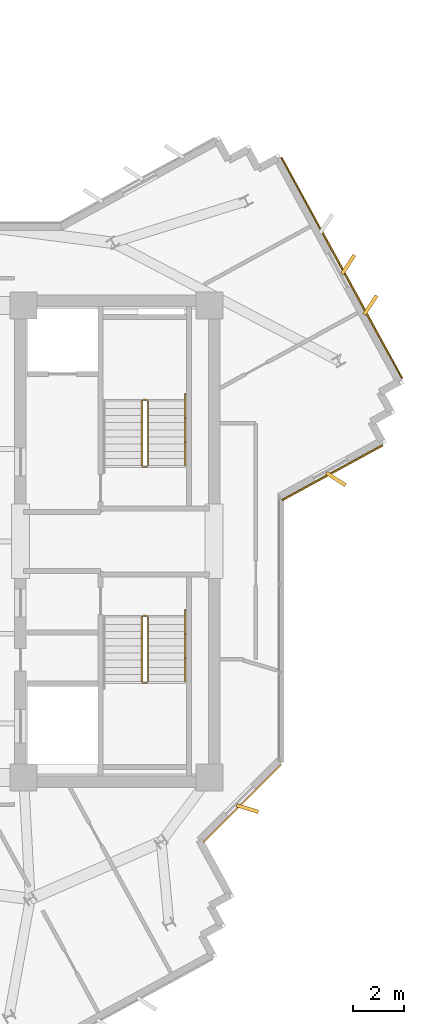
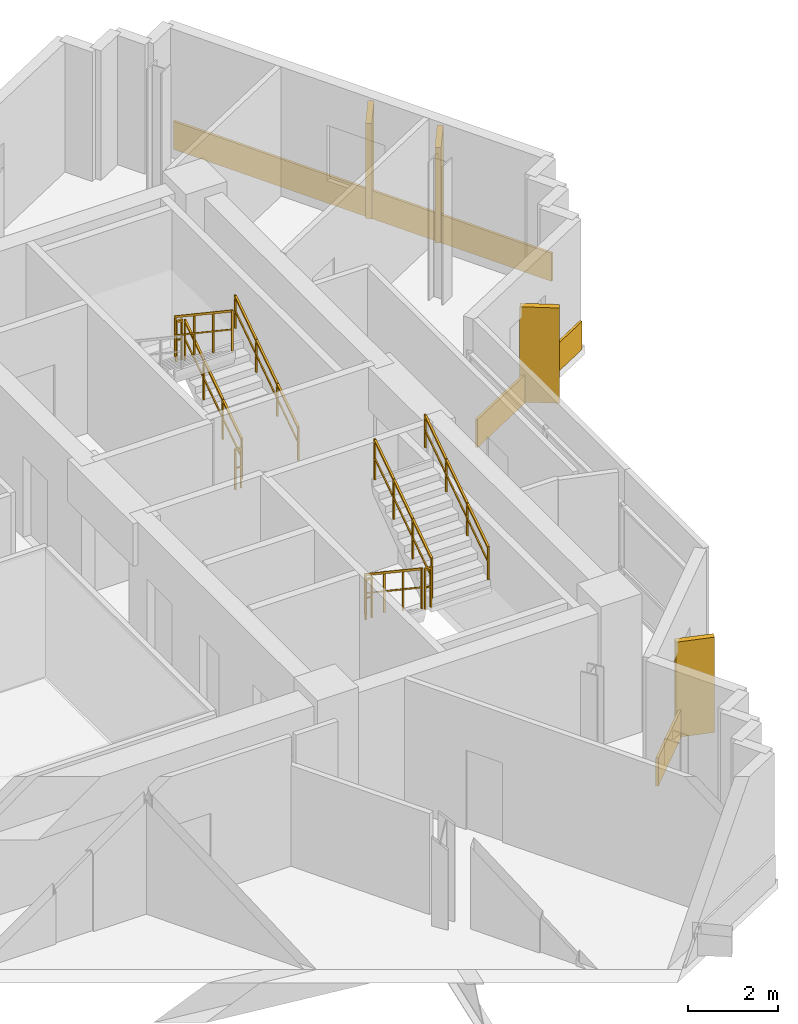
# One storey, part 12 of 13: 10 railings, 7 coverings.
"""IFC4 building model written with IfcOpenShell, lengths in metres."""

from ifc_helpers import new_model, si_unit, direction, frame, origin, origin_2d, place, context, subcontext, project, spatial, rectangle, extrude, source, transform, mapped, material, layer, layer_set, type_object, element, save


model = new_model("IFC4")

# Units and contexts
model_context = context("Model", 3, precision=1e-05, world=origin(), true_north=direction((0.0, 1.0)))
body_context = subcontext(model_context, "Body", "Model", "MODEL_VIEW")
ifc_project = project(units=[si_unit("LENGTHUNIT", "METRE"), si_unit("AREAUNIT", "SQUARE_METRE"), si_unit("VOLUMEUNIT", "CUBIC_METRE"), si_unit("PLANEANGLEUNIT", "RADIAN"), si_unit("MASSUNIT", "GRAM", prefix="KILO")], contexts=[model_context])

# Site, building, storey
site_placement = place(None, origin())
site = spatial("IfcSite", under=ifc_project, at=site_placement, CompositionType="ELEMENT")
building_placement = place(site_placement, origin())
building = spatial("IfcBuilding", under=site, at=building_placement, Name="Zahravan Cultural Tower", CompositionType="ELEMENT")
storey_placement = place(building_placement, frame((0.0, 0.0, 257.85009765625)))
storey = spatial("IfcBuildingStorey", under=building, at=storey_placement, Name="L61", CompositionType="ELEMENT", Elevation=257.85009765625)

# Railings
ifc_material_1 = material(Name="Steel ASTM A572 Grade 50", Category="steel")
railing_type_1 = type_object("IfcRailingType", Name="RL-STAIR-GRD1150", PredefinedType="BALUSTRADE", material=ifc_material_1)
railing_1_placement = place(storey_placement, frame((47.949951171875, 29.949951171875, 0.1875)))
element("IfcRailing", 1, at=railing_1_placement, inside=storey, type_object=railing_type_1, Name="L61 ST-E1 stair guard 1", PredefinedType="BALUSTRADE", context=body_context, shape_type="SweptSolid", body=[
    extrude(rectangle(XDim=0.05, YDim=0.05, at=origin_2d()), frame((0.0, 0.0, 1.0751953125), z_axis=(0.0, 0.830909170722, 0.55640807867), x_axis=(-1.0, 0.0, 0.0)), (0.0, 0.0, 1.0), 3.032958984375),
    extrude(rectangle(XDim=0.032, YDim=0.032, at=origin_2d()), frame((0.0, 0.0, 0.572021484375), z_axis=(0.0, 0.830909170722, 0.55640807867), x_axis=(-1.0, 0.0, 0.0)), (0.0, 0.0, 1.0), 3.032958984375),
    extrude(rectangle(XDim=0.04, YDim=0.04, at=origin_2d()), origin(), (0.0, 0.0, 1.0), 1.10009765625),
    extrude(rectangle(XDim=0.04, YDim=0.04, at=origin_2d()), frame((0.0, 0.840087890625, 0.5625)), (0.0, 0.0, 1.0), 1.10009765625),
    extrude(rectangle(XDim=0.04, YDim=0.04, at=origin_2d()), frame((0.0, 1.679931640625, 1.125)), (0.0, 0.0, 1.0), 1.10009765625),
    extrude(rectangle(XDim=0.04, YDim=0.04, at=origin_2d()), frame((0.0, 2.52001953125, 1.6875)), (0.0, 0.0, 1.0), 1.10009765625),
])
railing_2_placement = place(storey_placement, frame((47.89990234375, 32.52001953125, 1.875)))
element("IfcRailing", 2, at=railing_2_placement, inside=storey, type_object=railing_type_1, Name="L61 ST-E1 stair guard 2", PredefinedType="BALUSTRADE", context=body_context, shape_type="SweptSolid", body=[
    extrude(rectangle(XDim=0.05, YDim=0.05, at=origin_2d()), frame((0.0, 0.0, 1.0751953125), z_axis=(-1.0, 0.0, 0.0), x_axis=(0.0, -1.0, 0.0)), (0.0, 0.0, 1.0), 0.14990234375),
    extrude(rectangle(XDim=0.032, YDim=0.032, at=origin_2d()), frame((0.0, 0.0, 0.572021484375), z_axis=(-1.0, 0.0, 0.0), x_axis=(0.0, -1.0, 0.0)), (0.0, 0.0, 1.0), 0.14990234375),
    extrude(rectangle(XDim=0.04, YDim=0.04, at=origin_2d()), origin(), (0.0, 0.0, 1.0), 1.10009765625),
    extrude(rectangle(XDim=0.04, YDim=0.04, at=origin_2d()), frame((-0.14990234375, 0.0, 0.0)), (0.0, 0.0, 1.0), 1.10009765625),
])
railing_3_placement = place(storey_placement, frame((47.699951171875, 32.469970703125, 2.0625)))
element("IfcRailing", 3, at=railing_3_placement, inside=storey, type_object=railing_type_1, Name="L61 ST-E1 stair guard 3", PredefinedType="BALUSTRADE", context=body_context, shape_type="SweptSolid", body=[
    extrude(rectangle(XDim=0.05, YDim=0.05, at=origin_2d()), frame((0.0, 0.0, 1.0751953125), z_axis=(0.0, -0.830909170722, 0.55640807867), x_axis=(1.0, 0.0, 0.0)), (0.0, 0.0, 1.0), 3.032958984375),
    extrude(rectangle(XDim=0.032, YDim=0.032, at=origin_2d()), frame((0.0, 0.0, 0.572021484375), z_axis=(0.0, -0.830909170722, 0.55640807867), x_axis=(1.0, 0.0, 0.0)), (0.0, 0.0, 1.0), 3.032958984375),
    extrude(rectangle(XDim=0.04, YDim=0.04, at=origin_2d()), origin(), (0.0, 0.0, 1.0), 1.10009765625),
    extrude(rectangle(XDim=0.04, YDim=0.04, at=origin_2d()), frame((0.0, -0.840087890625, 0.5625)), (0.0, 0.0, 1.0), 1.10009765625),
    extrude(rectangle(XDim=0.04, YDim=0.04, at=origin_2d()), frame((0.0, -1.679931640625, 1.125)), (0.0, 0.0, 1.0), 1.10009765625),
    extrude(rectangle(XDim=0.04, YDim=0.04, at=origin_2d()), frame((0.0, -2.52001953125, 1.6875)), (0.0, 0.0, 1.0), 1.10009765625),
])
railing_4_placement = place(storey_placement, frame((47.89990234375, 29.89990234375, 0.0)))
element("IfcRailing", 4, at=railing_4_placement, inside=storey, type_object=railing_type_1, Name="L61 ST-E1 stair guard 4", PredefinedType="BALUSTRADE", context=body_context, shape_type="SweptSolid", body=[
    extrude(rectangle(XDim=0.05, YDim=0.05, at=origin_2d()), frame((0.0, 0.0, 1.0751953125), z_axis=(-1.0, 0.0, 0.0), x_axis=(0.0, -1.0, 0.0)), (0.0, 0.0, 1.0), 0.14990234375),
    extrude(rectangle(XDim=0.032, YDim=0.032, at=origin_2d()), frame((0.0, 0.0, 0.572021484375), z_axis=(-1.0, 0.0, 0.0), x_axis=(0.0, -1.0, 0.0)), (0.0, 0.0, 1.0), 0.14990234375),
    extrude(rectangle(XDim=0.04, YDim=0.04, at=origin_2d()), origin(), (0.0, 0.0, 1.0), 1.10009765625),
    extrude(rectangle(XDim=0.04, YDim=0.04, at=origin_2d()), frame((-0.14990234375, 0.0, 0.0)), (0.0, 0.0, 1.0), 1.10009765625),
])
railing_5_placement = place(storey_placement, frame((47.699951171875, 24.050048828125, 0.1875)))
element("IfcRailing", 5, at=railing_5_placement, inside=storey, type_object=railing_type_1, Name="L61 ST-E2 stair guard 1", PredefinedType="BALUSTRADE", context=body_context, shape_type="SweptSolid", body=[
    extrude(rectangle(XDim=0.05, YDim=0.05, at=origin_2d()), frame((0.0, 0.0, 1.0751953125), z_axis=(0.0, -0.830909170722, 0.55640807867), x_axis=(1.0, 0.0, 0.0)), (0.0, 0.0, 1.0), 3.032958984375),
    extrude(rectangle(XDim=0.032, YDim=0.032, at=origin_2d()), frame((0.0, 0.0, 0.572021484375), z_axis=(0.0, -0.830909170722, 0.55640807867), x_axis=(1.0, 0.0, 0.0)), (0.0, 0.0, 1.0), 3.032958984375),
    extrude(rectangle(XDim=0.04, YDim=0.04, at=origin_2d()), origin(), (0.0, 0.0, 1.0), 1.10009765625),
    extrude(rectangle(XDim=0.04, YDim=0.04, at=origin_2d()), frame((0.0, -0.840087890625, 0.5625)), (0.0, 0.0, 1.0), 1.10009765625),
    extrude(rectangle(XDim=0.04, YDim=0.04, at=origin_2d()), frame((0.0, -1.679931640625, 1.125)), (0.0, 0.0, 1.0), 1.10009765625),
    extrude(rectangle(XDim=0.04, YDim=0.04, at=origin_2d()), frame((0.0, -2.52001953125, 1.6875)), (0.0, 0.0, 1.0), 1.10009765625),
])
railing_6_placement = place(storey_placement, frame((47.75, 21.47998046875, 1.875)))
element("IfcRailing", 6, at=railing_6_placement, inside=storey, type_object=railing_type_1, Name="L61 ST-E2 stair guard 2", PredefinedType="BALUSTRADE", context=body_context, shape_type="SweptSolid", body=[
    extrude(rectangle(XDim=0.05, YDim=0.05, at=origin_2d()), frame((0.0, 0.0, 1.0751953125), z_axis=(1.0, 0.0, 0.0), x_axis=(0.0, 1.0, 0.0)), (0.0, 0.0, 1.0), 0.14990234375),
    extrude(rectangle(XDim=0.032, YDim=0.032, at=origin_2d()), frame((0.0, 0.0, 0.572021484375), z_axis=(1.0, 0.0, 0.0), x_axis=(0.0, 1.0, 0.0)), (0.0, 0.0, 1.0), 0.14990234375),
    extrude(rectangle(XDim=0.04, YDim=0.04, at=origin_2d()), origin(), (0.0, 0.0, 1.0), 1.10009765625),
    extrude(rectangle(XDim=0.04, YDim=0.04, at=origin_2d()), frame((0.14990234375, 0.0, 0.0)), (0.0, 0.0, 1.0), 1.10009765625),
])
railing_7_placement = place(storey_placement, frame((47.949951171875, 21.530029296875, 2.0625)))
element("IfcRailing", 7, at=railing_7_placement, inside=storey, type_object=railing_type_1, Name="L61 ST-E2 stair guard 3", PredefinedType="BALUSTRADE", context=body_context, shape_type="SweptSolid", body=[
    extrude(rectangle(XDim=0.05, YDim=0.05, at=origin_2d()), frame((0.0, 0.0, 1.0751953125), z_axis=(0.0, 0.830909170722, 0.55640807867), x_axis=(-1.0, 0.0, 0.0)), (0.0, 0.0, 1.0), 3.032958984375),
    extrude(rectangle(XDim=0.032, YDim=0.032, at=origin_2d()), frame((0.0, 0.0, 0.572021484375), z_axis=(0.0, 0.830909170722, 0.55640807867), x_axis=(-1.0, 0.0, 0.0)), (0.0, 0.0, 1.0), 3.032958984375),
    extrude(rectangle(XDim=0.04, YDim=0.04, at=origin_2d()), origin(), (0.0, 0.0, 1.0), 1.10009765625),
    extrude(rectangle(XDim=0.04, YDim=0.04, at=origin_2d()), frame((0.0, 0.840087890625, 0.5625)), (0.0, 0.0, 1.0), 1.10009765625),
    extrude(rectangle(XDim=0.04, YDim=0.04, at=origin_2d()), frame((0.0, 1.679931640625, 1.125)), (0.0, 0.0, 1.0), 1.10009765625),
    extrude(rectangle(XDim=0.04, YDim=0.04, at=origin_2d()), frame((0.0, 2.52001953125, 1.6875)), (0.0, 0.0, 1.0), 1.10009765625),
])
railing_8_placement = place(storey_placement, frame((47.75, 24.10009765625, 0.0)))
element("IfcRailing", 8, at=railing_8_placement, inside=storey, type_object=railing_type_1, Name="L61 ST-E2 stair guard 4", PredefinedType="BALUSTRADE", context=body_context, shape_type="SweptSolid", body=[
    extrude(rectangle(XDim=0.05, YDim=0.05, at=origin_2d()), frame((0.0, 0.0, 1.0751953125), z_axis=(1.0, 0.0, 0.0), x_axis=(0.0, 1.0, 0.0)), (0.0, 0.0, 1.0), 0.14990234375),
    extrude(rectangle(XDim=0.032, YDim=0.032, at=origin_2d()), frame((0.0, 0.0, 0.572021484375), z_axis=(1.0, 0.0, 0.0), x_axis=(0.0, 1.0, 0.0)), (0.0, 0.0, 1.0), 0.14990234375),
    extrude(rectangle(XDim=0.04, YDim=0.04, at=origin_2d()), origin(), (0.0, 0.0, 1.0), 1.10009765625),
    extrude(rectangle(XDim=0.04, YDim=0.04, at=origin_2d()), frame((0.14990234375, 0.0, 0.0)), (0.0, 0.0, 1.0), 1.10009765625),
])
railing_type_2 = type_object("IfcRailingType", Name="RL-STAIR-HR900", PredefinedType="HANDRAIL", material=ifc_material_1)
for number, where, name in (
    (9, (49.39990234375, 29.949951171875, 0.1875), "L61 ST-E1 stair handrail 1"),
    (10, (49.39990234375, 21.530029296875, 2.0625), "L61 ST-E2 stair handrail 2"),
):
    element("IfcRailing", number, at=place(storey_placement, frame(where)), inside=storey, type_object=railing_type_2, Name=name, PredefinedType="HANDRAIL", context=body_context, shape_type="SweptSolid", body=[
        extrude(rectangle(XDim=0.05, YDim=0.05, at=origin_2d()), frame((0.0, 0.0, 0.875), z_axis=(0.0, 0.830911662861, 0.55640435703), x_axis=(-1.0, 0.0, 0.0)), (0.0, 0.0, 1.0), 3.369873046875),
        extrude(rectangle(XDim=0.032, YDim=0.032, at=origin_2d()), frame((0.0, 0.0, 0.468017578125), z_axis=(0.0, 0.830911662861, 0.55640435703), x_axis=(-1.0, 0.0, 0.0)), (0.0, 0.0, 1.0), 3.369873046875),
        extrude(rectangle(XDim=0.04, YDim=0.04, at=origin_2d()), origin(), (0.0, 0.0, 1.0), 0.89990234375),
        extrude(rectangle(XDim=0.04, YDim=0.04, at=origin_2d()), frame((0.0, 0.933349609375, 0.625)), (0.0, 0.0, 1.0), 0.89990234375),
        extrude(rectangle(XDim=0.04, YDim=0.04, at=origin_2d()), frame((0.0, 1.86669921875, 1.25)), (0.0, 0.0, 1.0), 0.89990234375),
        extrude(rectangle(XDim=0.04, YDim=0.04, at=origin_2d()), frame((0.0, 2.800048828125, 1.875)), (0.0, 0.0, 1.0), 0.89990234375),
    ])

# Coverings
ifc_material_2 = material(Name="Terracotta ceramic cladding", Category="masonry")
ifc_layer = layer(ifc_material_2, 0.06005859375)
ifc_layer_set = layer_set([ifc_layer], Name="Terracotta ceramic cladding")
covering_type = type_object("IfcCoveringType", Name="COV-CLAD-TC60", PredefinedType="CLADDING", material=ifc_layer_set)
shared_shape_1 = source(origin(), body_context, "Body", "SweptSolid", [
    extrude(rectangle(XDim=9.820068359375, YDim=0.06005859375, at=origin_2d()), origin(), (0.0, 0.0, 1.0), 0.760009765625),
])
covering_1_placement = place(storey_placement, frame((55.50390625, 37.656005859375, 0.02001953125), z_axis=(0.0, 0.0, 1.0), x_axis=(0.479457860256, -0.877564903719, 0.0)))
element("IfcCovering", 11, at=covering_1_placement, inside=storey, type_object=covering_type, Name="L61 Terracotta Spandrel Cladding 06", PredefinedType="CLADDING", context=body_context, shape_type="MappedRepresentation", body=[
    mapped(shared_shape_1, transform((0.0, 0.0, 0.0), x_axis=(1.0, 0.0, 0.0), y_axis=(0.0, 1.0, 0.0), z_axis=(0.0, 0.0, 1.0), scale=1.0)),
])
shared_shape_2 = source(origin(), body_context, "Body", "SweptSolid", [
    extrude(rectangle(XDim=0.8798828125, YDim=0.139892578125, at=origin_2d()), origin(), (0.0, 0.0, 1.0), 2.580078125),
])
for number, where, z_axis, x_axis, name in (
    (12, (55.75390625, 37.79248046875, 0.0498046875), (0.0, 0.0, 1.0), (0.549751988372, 0.835327930385, 0.0), "L61 Herringbone Terracotta Fin 05"),
    (13, (56.616943359375, 36.212890625, 0.0498046875), (0.0, 0.0, 1.0), (0.549751988372, 0.835327930385, 0.0), "L61 Herringbone Terracotta Fin 06"),
    (14, (55.27587890625, 29.429443359375, 0.0498046875), (0.0, 0.0, 1.0), (0.835327930385, -0.549751988372, 0.0), "L61 Herringbone Terracotta Fin 07"),
    (15, (51.824951171875, 16.58642578125, 0.0498046875), (0.0, 0.0, 1.0), (0.956304755963, -0.292371704723, 0.0), "L61 Herringbone Terracotta Fin 08"),
):
    element("IfcCovering", number, at=place(storey_placement, frame(where, z_axis=z_axis, x_axis=x_axis)), inside=storey, type_object=covering_type, Name=name, PredefinedType="CLADDING", context=body_context, shape_type="MappedRepresentation", body=[
        mapped(shared_shape_2, transform((0.0, 0.0, 0.0), x_axis=(1.0, 0.0, 0.0), y_axis=(0.0, 1.0, 0.0), z_axis=(0.0, 0.0, 1.0), scale=1.0)),
    ])
shared_shape_3 = source(origin(), body_context, "Body", "SweptSolid", [
    extrude(rectangle(XDim=4.45849609375, YDim=0.06005859375, at=origin_2d()), origin(), (0.0, 0.0, 1.0), 0.760009765625),
])
covering_2_placement = place(storey_placement, frame((55.139404296875, 29.679443359375, 0.02001953125), z_axis=(0.0, 0.0, 1.0), x_axis=(-0.877564903719, -0.479457860256, 0.0)))
element("IfcCovering", 16, at=covering_2_placement, inside=storey, type_object=covering_type, Name="L61 Terracotta Spandrel Cladding 11", PredefinedType="CLADDING", context=body_context, shape_type="MappedRepresentation", body=[
    mapped(shared_shape_3, transform((0.0, 0.0, 0.0), x_axis=(1.0, 0.0, 0.0), y_axis=(0.0, 1.0, 0.0), z_axis=(0.0, 0.0, 1.0), scale=1.0)),
])
shared_shape_4 = source(origin(), body_context, "Body", "SweptSolid", [
    extrude(rectangle(XDim=4.29345703125, YDim=0.06005859375, at=origin_2d()), origin(), (0.0, 0.0, 1.0), 0.760009765625),
])
covering_3_placement = place(storey_placement, frame((51.623291015625, 16.7880859375, 0.02001953125), z_axis=(0.0, 0.0, 1.0), x_axis=(-0.707106781187, -0.707106781187, 0.0)))
element("IfcCovering", 17, at=covering_3_placement, inside=storey, type_object=covering_type, Name="L61 Terracotta Spandrel Cladding 12", PredefinedType="CLADDING", context=body_context, shape_type="MappedRepresentation", body=[
    mapped(shared_shape_4, transform((0.0, 0.0, 0.0), x_axis=(1.0, 0.0, 0.0), y_axis=(0.0, 1.0, 0.0), z_axis=(0.0, 0.0, 1.0), scale=1.0)),
])

save(model, "model.ifc")
